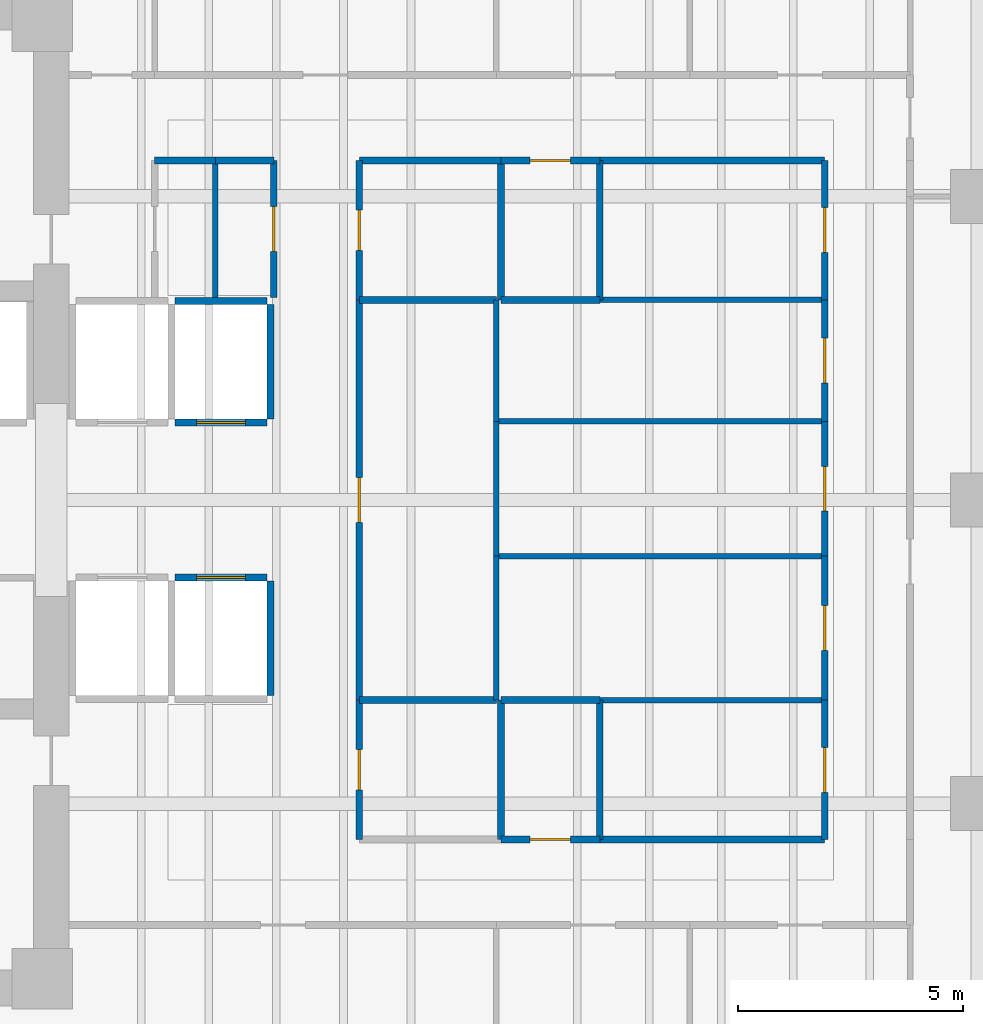
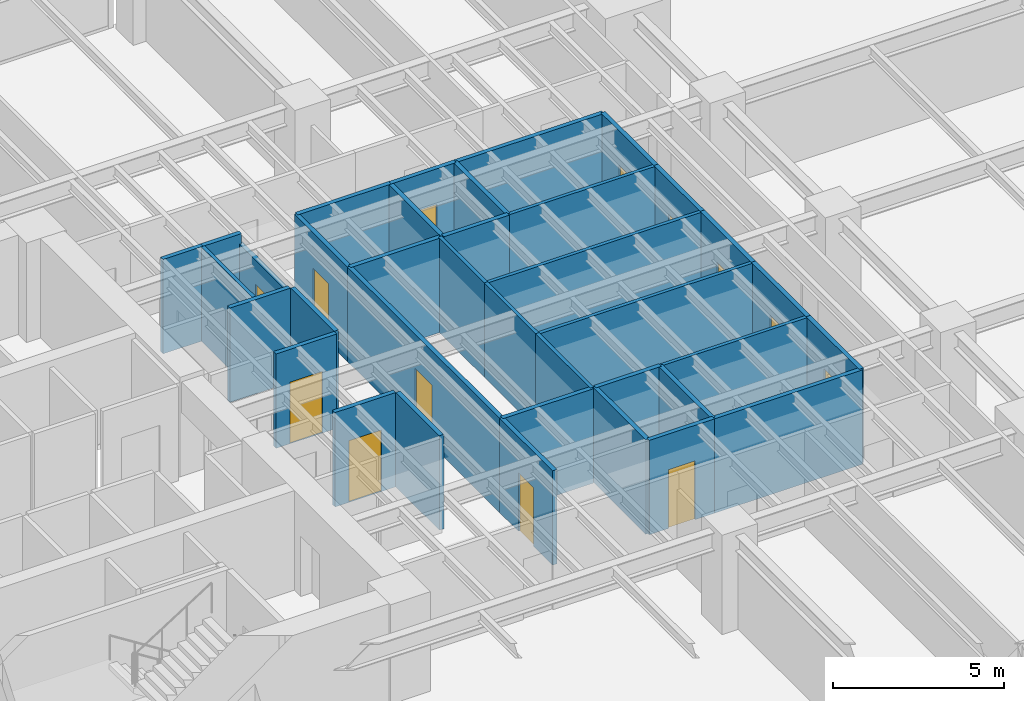
# One storey, part 9 of 15: 37 walls, 13 doors, 13 openings.
"""IFC4 building model written with IfcOpenShell, lengths in metres."""

from ifc_helpers import new_model, si_unit, direction, frame, frame_2d, origin, place, context, subcontext, project, spatial, rectangle, extrude, material, layer, layer_set, type_object, element, fill, save


model = new_model("IFC4")

# Units and contexts
model_context = context("Model", 3, precision=1e-05, world=origin(), true_north=direction((0.0, 1.0)))
body_context = subcontext(model_context, "Body", "Model", "MODEL_VIEW")
ifc_project = project(units=[si_unit("LENGTHUNIT", "METRE"), si_unit("AREAUNIT", "SQUARE_METRE"), si_unit("VOLUMEUNIT", "CUBIC_METRE"), si_unit("PLANEANGLEUNIT", "RADIAN"), si_unit("MASSUNIT", "GRAM", prefix="KILO")], contexts=[model_context])

# Site, building, storey
site_placement = place(None, origin())
site = spatial("IfcSite", under=ifc_project, at=site_placement, CompositionType="ELEMENT")
building_placement = place(site_placement, origin())
building = spatial("IfcBuilding", under=site, at=building_placement, Name="Kinhvarn Gate Tower", CompositionType="ELEMENT")
storey_placement = place(building_placement, frame((0.0, 0.0, 75.300048828125)))
storey = spatial("IfcBuildingStorey", under=building, at=storey_placement, Name="L19", CompositionType="ELEMENT", Elevation=75.300048828125)

# Walls
ifc_material_1 = material(Name="Gypsum acoustic partition board")
ifc_layer_1 = layer(ifc_material_1, 0.14990234375)
ifc_layer_set_1 = layer_set([ifc_layer_1], Name="Gypsum acoustic partition board")
wall_type_1 = type_object("IfcWallType", Name="WL-PLM-150", PredefinedType="PLUMBINGWALL", material=ifc_layer_set_1)
wall_1_placement = place(storey_placement, frame((27.60009765625, 17.699951171875, 0.0), z_axis=(0.0, 0.0, 1.0), x_axis=(0.0, 1.0, 0.0)))
element("IfcWall", 1, at=wall_1_placement, inside=storey, type_object=wall_type_1, Name="Interior Partition PLW-150 (L19)", PredefinedType="PLUMBINGWALL", context=body_context, shape_type="SweptSolid", body=[
    extrude(rectangle(XDim=3.10009765625, YDim=0.14990234375, at=frame_2d((1.550048828125, 0.0))), origin(), (0.0, 0.0, 1.0), 3.369873046875),
])
wall_2_placement = place(storey_placement, frame((24.449951171875, 20.800048828125, 0.0), z_axis=(0.0, 0.0, 1.0), x_axis=(1.0, 0.0, 0.0)))
element("IfcWall", 2, at=wall_2_placement, inside=storey, type_object=wall_type_1, Name="Interior Partition PLW-150 (L19)", PredefinedType="PLUMBINGWALL", context=body_context, shape_type="SweptSolid", body=[
    extrude(rectangle(XDim=3.050048828125, YDim=0.14990234375, at=frame_2d((1.52490234375, 0.0))), origin(), (0.0, 0.0, 1.0), 3.369873046875),
])
wall_3_placement = place(storey_placement, frame((27.60009765625, 29.699951171875, 0.0), z_axis=(0.0, 0.0, 1.0), x_axis=(0.0, 1.0, 0.0)))
element("IfcWall", 3, at=wall_3_placement, inside=storey, type_object=wall_type_1, Name="Interior Partition PLW-150 (L19)", PredefinedType="PLUMBINGWALL", context=body_context, shape_type="SweptSolid", body=[
    extrude(rectangle(XDim=3.10009765625, YDim=0.14990234375, at=frame_2d((1.550048828125, 0.0))), origin(), (0.0, 0.0, 1.0), 3.369873046875),
])
wall_4_placement = place(storey_placement, frame((24.449951171875, 29.699951171875, 0.0), z_axis=(0.0, 0.0, 1.0), x_axis=(1.0, 0.0, 0.0)))
element("IfcWall", 4, at=wall_4_placement, inside=storey, type_object=wall_type_1, Name="Interior Partition PLW-150 (L19)", PredefinedType="PLUMBINGWALL", context=body_context, shape_type="SweptSolid", body=[
    extrude(rectangle(XDim=3.050048828125, YDim=0.14990234375, at=frame_2d((1.52490234375, 0.0))), origin(), (0.0, 0.0, 1.0), 3.369873046875),
])
wall_5_placement = place(storey_placement, frame((29.800048828125, 17.699951171875, 0.0), z_axis=(0.0, 0.0, 1.0), x_axis=(0.0, 1.0, 0.0)))
element("IfcWall", 5, at=wall_5_placement, inside=storey, type_object=wall_type_1, Name="Interior Partition PLW-150 (L19)", PredefinedType="PLUMBINGWALL", context=body_context, shape_type="SweptSolid", body=[
    extrude(rectangle(XDim=3.10009765625, YDim=0.14990234375, at=frame_2d((1.550048828125, 0.0))), origin(), (0.0, 0.0, 1.0), 3.369873046875),
])
wall_6_placement = place(storey_placement, frame((27.60009765625, 20.800048828125, 0.0), z_axis=(0.0, 0.0, 1.0), x_axis=(1.0, 0.0, 0.0)))
element("IfcWall", 6, at=wall_6_placement, inside=storey, type_object=wall_type_1, Name="Interior Partition PLW-150 (L19)", PredefinedType="PLUMBINGWALL", context=body_context, shape_type="SweptSolid", body=[
    extrude(rectangle(XDim=2.199951171875, YDim=0.14990234375, at=frame_2d((1.10009765625, 0.0))), origin(), (0.0, 0.0, 1.0), 3.369873046875),
])
wall_7_placement = place(storey_placement, frame((29.800048828125, 29.699951171875, 0.0), z_axis=(0.0, 0.0, 1.0), x_axis=(0.0, 1.0, 0.0)))
element("IfcWall", 7, at=wall_7_placement, inside=storey, type_object=wall_type_1, Name="Interior Partition PLW-150 (L19)", PredefinedType="PLUMBINGWALL", context=body_context, shape_type="SweptSolid", body=[
    extrude(rectangle(XDim=3.10009765625, YDim=0.14990234375, at=frame_2d((1.550048828125, 0.0))), origin(), (0.0, 0.0, 1.0), 3.369873046875),
])
wall_8_placement = place(storey_placement, frame((27.60009765625, 29.699951171875, 0.0), z_axis=(0.0, 0.0, 1.0), x_axis=(1.0, 0.0, 0.0)))
element("IfcWall", 8, at=wall_8_placement, inside=storey, type_object=wall_type_1, Name="Interior Partition PLW-150 (L19)", PredefinedType="PLUMBINGWALL", context=body_context, shape_type="SweptSolid", body=[
    extrude(rectangle(XDim=2.199951171875, YDim=0.14990234375, at=frame_2d((1.10009765625, 0.0))), origin(), (0.0, 0.0, 1.0), 3.369873046875),
])

# Wall, opening, door
ifc_layer_2 = layer(ifc_material_1, 0.14990234375)
ifc_layer_set_2 = layer_set([ifc_layer_2], Name="Gypsum acoustic partition board")
wall_type_2 = type_object("IfcWallType", Name="WL-PLM-150F", PredefinedType="PLUMBINGWALL", material=ifc_layer_set_2)
wall_9_placement = place(storey_placement, frame((24.449951171875, 17.699951171875, 0.0), z_axis=(0.0, 0.0, 1.0), x_axis=(0.0, 1.0, 0.0)))
wall_9 = element("IfcWall", 9, at=wall_9_placement, inside=storey, type_object=wall_type_2, Name="Interior Partition PLW-150F (L19)", PredefinedType="PLUMBINGWALL", context=body_context, shape_type="SweptSolid", body=[
    extrude(rectangle(XDim=3.10009765625, YDim=0.14990234375, at=frame_2d((1.550048828125, 0.0))), origin(), (0.0, 0.0, 1.0), 3.369873046875),
])
opening_1_placement = place(wall_9_placement, frame((1.10009765625, 0.0, 0.0)))
opening_1 = element("IfcOpeningElement", 10, at=opening_1_placement, cuts=wall_9, Name="Opening FD-04", PredefinedType="OPENING", context=body_context, shape_type="SweptSolid", body=[
    extrude(rectangle(XDim=0.89990234375, YDim=2.10009765625, at=frame_2d((0.449951171875, 1.050048828125))), frame((0.0, 0.0849609375, 0.0), z_axis=(0.0, -1.0, 0.0), x_axis=(1.0, 0.0, 0.0)), (0.0, 0.0, 1.0), 0.169921875),
])
ifc_material_2 = material(Name="Anodised aluminium AW-6063", Category="aluminium")
door_type_1 = type_object("IfcDoorType", Name="DR-FD-900", OperationType="NOTDEFINED", PredefinedType="DOOR", material=ifc_material_2)
door_1_placement = place(opening_1_placement, origin())
door_1 = element("IfcDoor", 11, at=door_1_placement, inside=storey, type_object=door_type_1, Name="Rated Riser & Service Closet Fire Door 900x2100 mm (L19)", OperationType="SINGLE_SWING_RIGHT", OverallHeight=2.10009765625, OverallWidth=0.89990234375, PredefinedType="DOOR", context=body_context, shape_type="SweptSolid", body=[
    extrude(rectangle(XDim=0.89990234375, YDim=2.10009765625, at=frame_2d((0.449951171875, 1.050048828125))), frame((0.0, 0.02490234375, 0.0), z_axis=(0.0, -1.0, 0.0), x_axis=(1.0, 0.0, 0.0)), (0.0, 0.0, 1.0), 0.050048828125),
])
fill(opening_1, door_1)

wall_10_placement = place(storey_placement, frame((24.449951171875, 29.699951171875, 0.0), z_axis=(0.0, 0.0, 1.0), x_axis=(0.0, 1.0, 0.0)))
wall_10 = element("IfcWall", 12, at=wall_10_placement, inside=storey, type_object=wall_type_2, Name="Interior Partition PLW-150F (L19)", PredefinedType="PLUMBINGWALL", context=body_context, shape_type="SweptSolid", body=[
    extrude(rectangle(XDim=3.10009765625, YDim=0.14990234375, at=frame_2d((1.550048828125, 0.0))), origin(), (0.0, 0.0, 1.0), 3.369873046875),
])
opening_2_placement = place(wall_10_placement, frame((1.10009765625, 0.0, 0.0)))
opening_2 = element("IfcOpeningElement", 13, at=opening_2_placement, cuts=wall_10, Name="Opening FD-04", PredefinedType="OPENING", context=body_context, shape_type="SweptSolid", body=[
    extrude(rectangle(XDim=0.89990234375, YDim=2.10009765625, at=frame_2d((0.449951171875, 1.050048828125))), frame((0.0, 0.0849609375, 0.0), z_axis=(0.0, -1.0, 0.0), x_axis=(1.0, 0.0, 0.0)), (0.0, 0.0, 1.0), 0.169921875),
])
door_2_placement = place(opening_2_placement, origin())
door_2 = element("IfcDoor", 14, at=door_2_placement, inside=storey, type_object=door_type_1, Name="Rated Riser & Service Closet Fire Door 900x2100 mm (L19)", OperationType="SINGLE_SWING_LEFT", OverallHeight=2.10009765625, OverallWidth=0.89990234375, PredefinedType="DOOR", context=body_context, shape_type="SweptSolid", body=[
    extrude(rectangle(XDim=0.89990234375, YDim=2.10009765625, at=frame_2d((0.449951171875, 1.050048828125))), frame((0.0, 0.02490234375, 0.0), z_axis=(0.0, -1.0, 0.0), x_axis=(1.0, 0.0, 0.0)), (0.0, 0.0, 1.0), 0.050048828125),
])
fill(opening_2, door_2)

wall_11_placement = place(storey_placement, frame((27.60009765625, 17.699951171875, 0.0), z_axis=(0.0, 0.0, 1.0), x_axis=(1.0, 0.0, 0.0)))
wall_11 = element("IfcWall", 15, at=wall_11_placement, inside=storey, type_object=wall_type_2, Name="Interior Partition PLW-150F (L19)", PredefinedType="PLUMBINGWALL", context=body_context, shape_type="SweptSolid", body=[
    extrude(rectangle(XDim=2.199951171875, YDim=0.14990234375, at=frame_2d((1.10009765625, 0.0))), origin(), (0.0, 0.0, 1.0), 3.369873046875),
])
opening_3_placement = place(wall_11_placement, frame((0.64990234375, 0.0, 0.0)))
opening_3 = element("IfcOpeningElement", 16, at=opening_3_placement, cuts=wall_11, Name="Opening FD-04", PredefinedType="OPENING", context=body_context, shape_type="SweptSolid", body=[
    extrude(rectangle(XDim=0.89990234375, YDim=2.10009765625, at=frame_2d((0.449951171875, 1.050048828125))), frame((0.0, 0.0849609375, 0.0), z_axis=(0.0, -1.0, 0.0), x_axis=(1.0, 0.0, 0.0)), (0.0, 0.0, 1.0), 0.169921875),
])
door_3_placement = place(opening_3_placement, origin())
door_3 = element("IfcDoor", 17, at=door_3_placement, inside=storey, type_object=door_type_1, Name="Rated Riser & Service Closet Fire Door 900x2100 mm (L19)", OperationType="SINGLE_SWING_RIGHT", OverallHeight=2.10009765625, OverallWidth=0.89990234375, PredefinedType="DOOR", context=body_context, shape_type="SweptSolid", body=[
    extrude(rectangle(XDim=0.89990234375, YDim=2.10009765625, at=frame_2d((0.449951171875, 1.050048828125))), frame((0.0, 0.02490234375, 0.0), z_axis=(0.0, -1.0, 0.0), x_axis=(1.0, 0.0, 0.0)), (0.0, 0.0, 1.0), 0.050048828125),
])
fill(opening_3, door_3)

# Wall
wall_12_placement = place(storey_placement, frame((24.449951171875, 32.800048828125, 0.0), z_axis=(0.0, 0.0, 1.0), x_axis=(1.0, 0.0, 0.0)))
element("IfcWall", 18, at=wall_12_placement, inside=storey, type_object=wall_type_2, Name="Interior Partition PLW-150F (L19)", PredefinedType="PLUMBINGWALL", context=body_context, shape_type="SweptSolid", body=[
    extrude(rectangle(XDim=3.150146484375, YDim=0.14990234375, at=frame_2d((1.5751953125, 0.0))), origin(), (0.0, 0.0, 1.0), 3.369873046875),
])

# Wall, opening, door
wall_13_placement = place(storey_placement, frame((27.60009765625, 32.800048828125, 0.0), z_axis=(0.0, 0.0, 1.0), x_axis=(1.0, 0.0, 0.0)))
wall_13 = element("IfcWall", 19, at=wall_13_placement, inside=storey, type_object=wall_type_2, Name="Interior Partition PLW-150F (L19)", PredefinedType="PLUMBINGWALL", context=body_context, shape_type="SweptSolid", body=[
    extrude(rectangle(XDim=2.199951171875, YDim=0.14990234375, at=frame_2d((1.10009765625, 0.0))), origin(), (0.0, 0.0, 1.0), 3.369873046875),
])
opening_4_placement = place(wall_13_placement, frame((0.64990234375, 0.0, 0.0)))
opening_4 = element("IfcOpeningElement", 20, at=opening_4_placement, cuts=wall_13, Name="Opening FD-04", PredefinedType="OPENING", context=body_context, shape_type="SweptSolid", body=[
    extrude(rectangle(XDim=0.89990234375, YDim=2.10009765625, at=frame_2d((0.449951171875, 1.050048828125))), frame((0.0, 0.0849609375, 0.0), z_axis=(0.0, -1.0, 0.0), x_axis=(1.0, 0.0, 0.0)), (0.0, 0.0, 1.0), 0.169921875),
])
door_4_placement = place(opening_4_placement, origin())
door_4 = element("IfcDoor", 21, at=door_4_placement, inside=storey, type_object=door_type_1, Name="Rated Riser & Service Closet Fire Door 900x2100 mm (L19)", OperationType="SINGLE_SWING_RIGHT", OverallHeight=2.10009765625, OverallWidth=0.89990234375, PredefinedType="DOOR", context=body_context, shape_type="SweptSolid", body=[
    extrude(rectangle(XDim=0.89990234375, YDim=2.10009765625, at=frame_2d((0.449951171875, 1.050048828125))), frame((0.0, 0.02490234375, 0.0), z_axis=(0.0, -1.0, 0.0), x_axis=(1.0, 0.0, 0.0)), (0.0, 0.0, 1.0), 0.050048828125),
])
fill(opening_4, door_4)

# Walls
ifc_layer_3 = layer(ifc_material_1, 0.1201171875)
ifc_layer_set_3 = layer_set([ifc_layer_3], Name="Gypsum acoustic partition board")
wall_type_3 = type_object("IfcWallType", Name="WL-PRT-120", PredefinedType="PARTITIONING", material=ifc_layer_set_3)
wall_14_placement = place(storey_placement, frame((21.25, 29.75, 0.0), z_axis=(0.0, 0.0, 1.0), x_axis=(0.0, 1.0, 0.0)))
element("IfcWall", 22, at=wall_14_placement, inside=storey, type_object=wall_type_3, Name="Interior Partition PW-120 (L19)", PredefinedType="PARTITIONING", context=body_context, shape_type="SweptSolid", body=[
    extrude(rectangle(XDim=3.050048828125, YDim=0.1201171875, at=frame_2d((1.52490234375, 0.0))), origin(), (0.0, 0.0, 1.0), 3.369873046875),
])
for number, where, z_axis, x_axis, name in (
    (23, (29.800048828125, 20.800048828125, 0.0), (0.0, 0.0, 1.0), (1.0, 0.0, 0.0), "Interior Partition PW-120 (L19)"),
    (24, (29.800048828125, 29.699951171875, 0.0), (0.0, 0.0, 1.0), (1.0, 0.0, 0.0), "Interior Partition PW-120 (L19)"),
):
    element("IfcWall", number, at=place(storey_placement, frame(where, z_axis=z_axis, x_axis=x_axis)), inside=storey, type_object=wall_type_3, Name=name, PredefinedType="PARTITIONING", context=body_context, shape_type="SweptSolid", body=[
        extrude(rectangle(XDim=5.0, YDim=0.1201171875, at=frame_2d((2.5, 0.0))), origin(), (0.0, 0.0, 1.0), 3.369873046875),
    ])
wall_15_placement = place(storey_placement, frame((27.5, 20.800048828125, 0.0), z_axis=(0.0, 0.0, 1.0), x_axis=(0.0, 1.0, 0.0)))
element("IfcWall", 25, at=wall_15_placement, inside=storey, type_object=wall_type_3, Name="Interior Partition PW-120 (L19)", PredefinedType="PARTITIONING", context=body_context, shape_type="SweptSolid", body=[
    extrude(rectangle(XDim=3.199951171875, YDim=0.1201171875, at=frame_2d((1.60009765625, 0.0))), origin(), (0.0, 0.0, 1.0), 3.369873046875),
])
wall_16_placement = place(storey_placement, frame((27.5, 24.0, 0.0), z_axis=(0.0, 0.0, 1.0), x_axis=(0.0, 1.0, 0.0)))
element("IfcWall", 26, at=wall_16_placement, inside=storey, type_object=wall_type_3, Name="Interior Partition PW-120 (L19)", PredefinedType="PARTITIONING", context=body_context, shape_type="SweptSolid", body=[
    extrude(rectangle(XDim=3.0, YDim=0.1201171875, at=frame_2d((1.5, 0.0))), origin(), (0.0, 0.0, 1.0), 3.369873046875),
])
wall_17_placement = place(storey_placement, frame((27.5, 27.0, 0.0), z_axis=(0.0, 0.0, 1.0), x_axis=(0.0, 1.0, 0.0)))
element("IfcWall", 27, at=wall_17_placement, inside=storey, type_object=wall_type_3, Name="Interior Partition PW-120 (L19)", PredefinedType="PARTITIONING", context=body_context, shape_type="SweptSolid", body=[
    extrude(rectangle(XDim=2.699951171875, YDim=0.1201171875, at=frame_2d((1.35009765625, 0.0))), origin(), (0.0, 0.0, 1.0), 3.369873046875),
])
for number, where, z_axis, x_axis, name in (
    (28, (27.5, 24.0, 0.0), (0.0, 0.0, 1.0), (1.0, 0.0, 0.0), "Interior Partition PW-120 (L19)"),
    (29, (27.5, 27.0, 0.0), (0.0, 0.0, 1.0), (1.0, 0.0, 0.0), "Interior Partition PW-120 (L19)"),
):
    element("IfcWall", number, at=place(storey_placement, frame(where, z_axis=z_axis, x_axis=x_axis)), inside=storey, type_object=wall_type_3, Name=name, PredefinedType="PARTITIONING", context=body_context, shape_type="SweptSolid", body=[
        extrude(rectangle(XDim=7.300048828125, YDim=0.1201171875, at=frame_2d((3.64990234375, 0.0))), origin(), (0.0, 0.0, 1.0), 3.369873046875),
    ])

# Wall, opening, door
ifc_layer_4 = layer(ifc_material_1, 0.14990234375)
ifc_layer_set_4 = layer_set([ifc_layer_4], Name="Gypsum acoustic partition board")
wall_type_4 = type_object("IfcWallType", Name="WL-PRT-150F", PredefinedType="PARTITIONING", material=ifc_layer_set_4)
wall_18_placement = place(storey_placement, frame((22.550048828125, 29.75, 0.0), z_axis=(0.0, 0.0, 1.0), x_axis=(0.0, 1.0, 0.0)))
wall_18 = element("IfcWall", 30, at=wall_18_placement, inside=storey, type_object=wall_type_4, Name="Interior Partition PW-150F (L19)", PredefinedType="PARTITIONING", context=body_context, shape_type="SweptSolid", body=[
    extrude(rectangle(XDim=3.050048828125, YDim=0.14990234375, at=frame_2d((1.52490234375, 0.0))), origin(), (0.0, 0.0, 1.0), 3.010009765625),
])
opening_5_placement = place(wall_18_placement, frame((1.02490234375, 0.0, 0.0)))
opening_5 = element("IfcOpeningElement", 31, at=opening_5_placement, cuts=wall_18, Name="Opening ID-02", PredefinedType="OPENING", context=body_context, shape_type="SweptSolid", body=[
    extrude(rectangle(XDim=1.0, YDim=2.14990234375, at=frame_2d((0.5, 1.074951171875))), frame((0.0, 0.0849609375, 0.0), z_axis=(0.0, -1.0, 0.0), x_axis=(1.0, 0.0, 0.0)), (0.0, 0.0, 1.0), 0.169921875),
])
door_type_2 = type_object("IfcDoorType", Name="DR-INT-1000", OperationType="NOTDEFINED", PredefinedType="DOOR", material=ifc_material_2)
door_5_placement = place(opening_5_placement, origin())
door_5 = element("IfcDoor", 32, at=door_5_placement, inside=storey, type_object=door_type_2, Name="Standard Office & Meeting Room Door 1000x2150 mm (L19)", OperationType="SINGLE_SWING_LEFT", OverallHeight=2.14990234375, OverallWidth=1.0, PredefinedType="DOOR", context=body_context, shape_type="SweptSolid", body=[
    extrude(rectangle(XDim=1.0, YDim=2.14990234375, at=frame_2d((0.5, 1.074951171875))), frame((0.0, 0.02490234375, 0.0), z_axis=(0.0, -1.0, 0.0), x_axis=(1.0, 0.0, 0.0)), (0.0, 0.0, 1.0), 0.050048828125),
])
fill(opening_5, door_5)

wall_19_placement = place(storey_placement, frame((24.449951171875, 20.800048828125, 0.0), z_axis=(0.0, 0.0, 1.0), x_axis=(0.0, 1.0, 0.0)))
wall_19 = element("IfcWall", 33, at=wall_19_placement, inside=storey, type_object=wall_type_4, Name="Interior Partition PW-150F (L19)", PredefinedType="PARTITIONING", context=body_context, shape_type="SweptSolid", body=[
    extrude(rectangle(XDim=8.89990234375, YDim=0.14990234375, at=frame_2d((4.449951171875, 0.0))), origin(), (0.0, 0.0, 1.0), 3.369873046875),
])
opening_6_placement = place(wall_19_placement, frame((3.949951171875, 0.0, 0.0)))
opening_6 = element("IfcOpeningElement", 34, at=opening_6_placement, cuts=wall_19, Name="Opening ID-02", PredefinedType="OPENING", context=body_context, shape_type="SweptSolid", body=[
    extrude(rectangle(XDim=1.0, YDim=2.14990234375, at=frame_2d((0.5, 1.074951171875))), frame((0.0, 0.0849609375, 0.0), z_axis=(0.0, -1.0, 0.0), x_axis=(1.0, 0.0, 0.0)), (0.0, 0.0, 1.0), 0.169921875),
])
door_6_placement = place(opening_6_placement, origin())
door_6 = element("IfcDoor", 35, at=door_6_placement, inside=storey, type_object=door_type_2, Name="Standard Office & Meeting Room Door 1000x2150 mm (L19)", OperationType="SINGLE_SWING_RIGHT", OverallHeight=2.14990234375, OverallWidth=1.0, PredefinedType="DOOR", context=body_context, shape_type="SweptSolid", body=[
    extrude(rectangle(XDim=1.0, YDim=2.14990234375, at=frame_2d((0.5, 1.074951171875))), frame((0.0, 0.02490234375, 0.0), z_axis=(0.0, -1.0, 0.0), x_axis=(1.0, 0.0, 0.0)), (0.0, 0.0, 1.0), 0.050048828125),
])
fill(opening_6, door_6)

# Walls
wall_20_placement = place(storey_placement, frame((29.800048828125, 17.699951171875, 0.0), z_axis=(0.0, 0.0, 1.0), x_axis=(1.0, 0.0, 0.0)))
element("IfcWall", 36, at=wall_20_placement, inside=storey, type_object=wall_type_4, Name="Interior Partition PW-150F (L19)", PredefinedType="PARTITIONING", context=body_context, shape_type="SweptSolid", body=[
    extrude(rectangle(XDim=5.0, YDim=0.14990234375, at=frame_2d((2.5, 0.0))), origin(), (0.0, 0.0, 1.0), 3.369873046875),
])
wall_21_placement = place(storey_placement, frame((19.89990234375, 32.800048828125, 0.0), z_axis=(0.0, 0.0, 1.0), x_axis=(1.0, 0.0, 0.0)))
element("IfcWall", 37, at=wall_21_placement, inside=storey, type_object=wall_type_4, Name="Interior Partition PW-150F (L19)", PredefinedType="PARTITIONING", context=body_context, shape_type="SweptSolid", body=[
    extrude(rectangle(XDim=1.35009765625, YDim=0.14990234375, at=frame_2d((0.675048828125, 0.0))), origin(), (0.0, 0.0, 1.0), 3.369873046875),
])
wall_22_placement = place(storey_placement, frame((21.25, 32.800048828125, 0.0), z_axis=(0.0, 0.0, 1.0), x_axis=(1.0, 0.0, 0.0)))
element("IfcWall", 38, at=wall_22_placement, inside=storey, type_object=wall_type_4, Name="Interior Partition PW-150F (L19)", PredefinedType="PARTITIONING", context=body_context, shape_type="SweptSolid", body=[
    extrude(rectangle(XDim=1.300048828125, YDim=0.14990234375, at=frame_2d((0.64990234375, 0.0))), origin(), (0.0, 0.0, 1.0), 3.369873046875),
])
wall_23_placement = place(storey_placement, frame((29.800048828125, 32.800048828125, 0.0), z_axis=(0.0, 0.0, 1.0), x_axis=(1.0, 0.0, 0.0)))
element("IfcWall", 39, at=wall_23_placement, inside=storey, type_object=wall_type_4, Name="Interior Partition PW-150F (L19)", PredefinedType="PARTITIONING", context=body_context, shape_type="SweptSolid", body=[
    extrude(rectangle(XDim=5.0, YDim=0.14990234375, at=frame_2d((2.5, 0.0))), origin(), (0.0, 0.0, 1.0), 3.369873046875),
])

# Wall, opening, door
wall_24_placement = place(storey_placement, frame((34.800048828125, 17.699951171875, 0.0), z_axis=(0.0, 0.0, 1.0), x_axis=(0.0, 1.0, 0.0)))
wall_24 = element("IfcWall", 40, at=wall_24_placement, inside=storey, type_object=wall_type_4, Name="Interior Partition PW-150F (L19)", PredefinedType="PARTITIONING", context=body_context, shape_type="SweptSolid", body=[
    extrude(rectangle(XDim=3.10009765625, YDim=0.14990234375, at=frame_2d((1.550048828125, 0.0))), origin(), (0.0, 0.0, 1.0), 3.369873046875),
])
opening_7_placement = place(wall_24_placement, frame((1.050048828125, 0.0, 0.0)))
opening_7 = element("IfcOpeningElement", 41, at=opening_7_placement, cuts=wall_24, Name="Opening ID-02", PredefinedType="OPENING", context=body_context, shape_type="SweptSolid", body=[
    extrude(rectangle(XDim=1.0, YDim=2.14990234375, at=frame_2d((0.5, 1.074951171875))), frame((0.0, 0.0849609375, 0.0), z_axis=(0.0, -1.0, 0.0), x_axis=(1.0, 0.0, 0.0)), (0.0, 0.0, 1.0), 0.169921875),
])
door_7_placement = place(opening_7_placement, origin())
door_7 = element("IfcDoor", 42, at=door_7_placement, inside=storey, type_object=door_type_2, Name="Standard Office & Meeting Room Door 1000x2150 mm (L19)", OperationType="SINGLE_SWING_RIGHT", OverallHeight=2.14990234375, OverallWidth=1.0, PredefinedType="DOOR", context=body_context, shape_type="SweptSolid", body=[
    extrude(rectangle(XDim=1.0, YDim=2.14990234375, at=frame_2d((0.5, 1.074951171875))), frame((0.0, 0.02490234375, 0.0), z_axis=(0.0, -1.0, 0.0), x_axis=(1.0, 0.0, 0.0)), (0.0, 0.0, 1.0), 0.050048828125),
])
fill(opening_7, door_7)

wall_25_placement = place(storey_placement, frame((34.800048828125, 29.699951171875, 0.0), z_axis=(0.0, 0.0, 1.0), x_axis=(0.0, 1.0, 0.0)))
wall_25 = element("IfcWall", 43, at=wall_25_placement, inside=storey, type_object=wall_type_4, Name="Interior Partition PW-150F (L19)", PredefinedType="PARTITIONING", context=body_context, shape_type="SweptSolid", body=[
    extrude(rectangle(XDim=3.10009765625, YDim=0.14990234375, at=frame_2d((1.550048828125, 0.0))), origin(), (0.0, 0.0, 1.0), 3.369873046875),
])
opening_8_placement = place(wall_25_placement, frame((1.050048828125, 0.0, 0.0)))
opening_8 = element("IfcOpeningElement", 44, at=opening_8_placement, cuts=wall_25, Name="Opening ID-02", PredefinedType="OPENING", context=body_context, shape_type="SweptSolid", body=[
    extrude(rectangle(XDim=1.0, YDim=2.14990234375, at=frame_2d((0.5, 1.074951171875))), frame((0.0, 0.0849609375, 0.0), z_axis=(0.0, -1.0, 0.0), x_axis=(1.0, 0.0, 0.0)), (0.0, 0.0, 1.0), 0.169921875),
])
door_8_placement = place(opening_8_placement, origin())
door_8 = element("IfcDoor", 45, at=door_8_placement, inside=storey, type_object=door_type_2, Name="Standard Office & Meeting Room Door 1000x2150 mm (L19)", OperationType="SINGLE_SWING_LEFT", OverallHeight=2.14990234375, OverallWidth=1.0, PredefinedType="DOOR", context=body_context, shape_type="SweptSolid", body=[
    extrude(rectangle(XDim=1.0, YDim=2.14990234375, at=frame_2d((0.5, 1.074951171875))), frame((0.0, 0.02490234375, 0.0), z_axis=(0.0, -1.0, 0.0), x_axis=(1.0, 0.0, 0.0)), (0.0, 0.0, 1.0), 0.050048828125),
])
fill(opening_8, door_8)

wall_26_placement = place(storey_placement, frame((34.800048828125, 20.800048828125, 0.0), z_axis=(0.0, 0.0, 1.0), x_axis=(0.0, 1.0, 0.0)))
wall_26 = element("IfcWall", 46, at=wall_26_placement, inside=storey, type_object=wall_type_4, Name="Interior Partition PW-150F (L19)", PredefinedType="PARTITIONING", context=body_context, shape_type="SweptSolid", body=[
    extrude(rectangle(XDim=3.199951171875, YDim=0.14990234375, at=frame_2d((1.60009765625, 0.0))), origin(), (0.0, 0.0, 1.0), 3.369873046875),
])
opening_9_placement = place(wall_26_placement, frame((1.10009765625, 0.0, 0.0)))
opening_9 = element("IfcOpeningElement", 47, at=opening_9_placement, cuts=wall_26, Name="Opening ID-02", PredefinedType="OPENING", context=body_context, shape_type="SweptSolid", body=[
    extrude(rectangle(XDim=1.0, YDim=2.14990234375, at=frame_2d((0.5, 1.074951171875))), frame((0.0, 0.0849609375, 0.0), z_axis=(0.0, -1.0, 0.0), x_axis=(1.0, 0.0, 0.0)), (0.0, 0.0, 1.0), 0.169921875),
])
door_9_placement = place(opening_9_placement, origin())
door_9 = element("IfcDoor", 48, at=door_9_placement, inside=storey, type_object=door_type_2, Name="Standard Office & Meeting Room Door 1000x2150 mm (L19)", OperationType="SINGLE_SWING_RIGHT", OverallHeight=2.14990234375, OverallWidth=1.0, PredefinedType="DOOR", context=body_context, shape_type="SweptSolid", body=[
    extrude(rectangle(XDim=1.0, YDim=2.14990234375, at=frame_2d((0.5, 1.074951171875))), frame((0.0, 0.02490234375, 0.0), z_axis=(0.0, -1.0, 0.0), x_axis=(1.0, 0.0, 0.0)), (0.0, 0.0, 1.0), 0.050048828125),
])
fill(opening_9, door_9)

wall_27_placement = place(storey_placement, frame((34.800048828125, 24.0, 0.0), z_axis=(0.0, 0.0, 1.0), x_axis=(0.0, 1.0, 0.0)))
wall_27 = element("IfcWall", 49, at=wall_27_placement, inside=storey, type_object=wall_type_4, Name="Interior Partition PW-150F (L19)", PredefinedType="PARTITIONING", context=body_context, shape_type="SweptSolid", body=[
    extrude(rectangle(XDim=3.0, YDim=0.14990234375, at=frame_2d((1.5, 0.0))), origin(), (0.0, 0.0, 1.0), 3.369873046875),
])
opening_10_placement = place(wall_27_placement, frame((1.0, 0.0, 0.0)))
opening_10 = element("IfcOpeningElement", 50, at=opening_10_placement, cuts=wall_27, Name="Opening ID-02", PredefinedType="OPENING", context=body_context, shape_type="SweptSolid", body=[
    extrude(rectangle(XDim=1.0, YDim=2.14990234375, at=frame_2d((0.5, 1.074951171875))), frame((0.0, 0.0849609375, 0.0), z_axis=(0.0, -1.0, 0.0), x_axis=(1.0, 0.0, 0.0)), (0.0, 0.0, 1.0), 0.169921875),
])
door_10_placement = place(opening_10_placement, origin())
door_10 = element("IfcDoor", 51, at=door_10_placement, inside=storey, type_object=door_type_2, Name="Standard Office & Meeting Room Door 1000x2150 mm (L19)", OperationType="SINGLE_SWING_LEFT", OverallHeight=2.14990234375, OverallWidth=1.0, PredefinedType="DOOR", context=body_context, shape_type="SweptSolid", body=[
    extrude(rectangle(XDim=1.0, YDim=2.14990234375, at=frame_2d((0.5, 1.074951171875))), frame((0.0, 0.02490234375, 0.0), z_axis=(0.0, -1.0, 0.0), x_axis=(1.0, 0.0, 0.0)), (0.0, 0.0, 1.0), 0.050048828125),
])
fill(opening_10, door_10)

wall_28_placement = place(storey_placement, frame((34.800048828125, 27.0, 0.0), z_axis=(0.0, 0.0, 1.0), x_axis=(0.0, 1.0, 0.0)))
wall_28 = element("IfcWall", 52, at=wall_28_placement, inside=storey, type_object=wall_type_4, Name="Interior Partition PW-150F (L19)", PredefinedType="PARTITIONING", context=body_context, shape_type="SweptSolid", body=[
    extrude(rectangle(XDim=2.699951171875, YDim=0.14990234375, at=frame_2d((1.35009765625, 0.0))), origin(), (0.0, 0.0, 1.0), 3.369873046875),
])
opening_11_placement = place(wall_28_placement, frame((0.85009765625, 0.0, 0.0)))
opening_11 = element("IfcOpeningElement", 53, at=opening_11_placement, cuts=wall_28, Name="Opening ID-02", PredefinedType="OPENING", context=body_context, shape_type="SweptSolid", body=[
    extrude(rectangle(XDim=1.0, YDim=2.14990234375, at=frame_2d((0.5, 1.074951171875))), frame((0.0, 0.0849609375, 0.0), z_axis=(0.0, -1.0, 0.0), x_axis=(1.0, 0.0, 0.0)), (0.0, 0.0, 1.0), 0.169921875),
])
door_11_placement = place(opening_11_placement, origin())
door_11 = element("IfcDoor", 54, at=door_11_placement, inside=storey, type_object=door_type_2, Name="Standard Office & Meeting Room Door 1000x2150 mm (L19)", OperationType="SINGLE_SWING_RIGHT", OverallHeight=2.14990234375, OverallWidth=1.0, PredefinedType="DOOR", context=body_context, shape_type="SweptSolid", body=[
    extrude(rectangle(XDim=1.0, YDim=2.14990234375, at=frame_2d((0.5, 1.074951171875))), frame((0.0, 0.02490234375, 0.0), z_axis=(0.0, -1.0, 0.0), x_axis=(1.0, 0.0, 0.0)), (0.0, 0.0, 1.0), 0.050048828125),
])
fill(opening_11, door_11)

ifc_layer_5 = layer(ifc_material_1, 0.14990234375)
ifc_layer_set_5 = layer_set([ifc_layer_5], Name="Gypsum acoustic partition board")
wall_type_5 = type_object("IfcWallType", Name="WL-SHF-150", PredefinedType="PARTITIONING", material=ifc_layer_set_5)
wall_29_placement = place(storey_placement, frame((20.35009765625, 23.52490234375, 0.0), z_axis=(0.0, 0.0, 1.0), x_axis=(1.0, 0.0, 0.0)))
wall_29 = element("IfcWall", 55, at=wall_29_placement, inside=storey, type_object=wall_type_5, Name="Elevator PL-02 Landing Wall (L19)", PredefinedType="PARTITIONING", context=body_context, shape_type="SweptSolid", body=[
    extrude(rectangle(XDim=2.0498046875, YDim=0.14990234375, at=frame_2d((1.02490234375, 0.0))), origin(), (0.0, 0.0, 1.0), 3.369873046875),
])
opening_12_placement = place(wall_29_placement, frame((0.47509765625, 0.0, 0.0)))
opening_12 = element("IfcOpeningElement", 56, at=opening_12_placement, cuts=wall_29, Name="Opening LD-01", PredefinedType="OPENING", context=body_context, shape_type="SweptSolid", body=[
    extrude(rectangle(XDim=1.10009765625, YDim=2.199951171875, at=frame_2d((0.550048828125, 1.10009765625))), frame((0.0, 0.0849609375, 0.0), z_axis=(0.0, -1.0, 0.0), x_axis=(1.0, 0.0, 0.0)), (0.0, 0.0, 1.0), 0.169921875),
])
door_type_3 = type_object("IfcDoorType", Name="DR-LND-PAS", OperationType="NOTDEFINED", PredefinedType="DOOR", material=ifc_material_2)
door_12_placement = place(opening_12_placement, origin())
door_12 = element("IfcDoor", 57, at=door_12_placement, inside=storey, type_object=door_type_3, Name="Elevator PL-02 Sliding Landing Door (L19)", OperationType="DOUBLE_DOOR_SLIDING", OverallHeight=2.199951171875, OverallWidth=1.10009765625, PredefinedType="DOOR", context=body_context, shape_type="SweptSolid", body=[
    extrude(rectangle(XDim=1.10009765625, YDim=2.199951171875, at=frame_2d((0.550048828125, 1.10009765625))), frame((0.0, 0.02490234375, 0.0), z_axis=(0.0, -1.0, 0.0), x_axis=(1.0, 0.0, 0.0)), (0.0, 0.0, 1.0), 0.050048828125),
])
fill(opening_12, door_12)

# Wall
wall_30_placement = place(storey_placement, frame((22.47509765625, 20.89990234375, 0.0), z_axis=(0.0, 0.0, 1.0), x_axis=(0.0, 1.0, 0.0)))
element("IfcWall", 58, at=wall_30_placement, inside=storey, type_object=wall_type_5, Name="Elevator PL-02 Hoistway Wall E (L19)", PredefinedType="PARTITIONING", context=body_context, shape_type="SweptSolid", body=[
    extrude(rectangle(XDim=2.550048828125, YDim=0.14990234375, at=frame_2d((1.27490234375, 0.0))), origin(), (0.0, 0.0, 1.0), 3.369873046875),
])

# Wall, opening, door
wall_31_placement = place(storey_placement, frame((20.35009765625, 26.97509765625, 0.0), z_axis=(0.0, 0.0, 1.0), x_axis=(1.0, 0.0, 0.0)))
wall_31 = element("IfcWall", 59, at=wall_31_placement, inside=storey, type_object=wall_type_5, Name="Elevator PL-04 Landing Wall (L19)", PredefinedType="PARTITIONING", context=body_context, shape_type="SweptSolid", body=[
    extrude(rectangle(XDim=2.0498046875, YDim=0.14990234375, at=frame_2d((1.02490234375, 0.0))), origin(), (0.0, 0.0, 1.0), 3.369873046875),
])
opening_13_placement = place(wall_31_placement, frame((0.47509765625, 0.0, 0.0)))
opening_13 = element("IfcOpeningElement", 60, at=opening_13_placement, cuts=wall_31, Name="Opening LD-01", PredefinedType="OPENING", context=body_context, shape_type="SweptSolid", body=[
    extrude(rectangle(XDim=1.10009765625, YDim=2.199951171875, at=frame_2d((0.550048828125, 1.10009765625))), frame((0.0, 0.0849609375, 0.0), z_axis=(0.0, -1.0, 0.0), x_axis=(1.0, 0.0, 0.0)), (0.0, 0.0, 1.0), 0.169921875),
])
door_13_placement = place(opening_13_placement, origin())
door_13 = element("IfcDoor", 61, at=door_13_placement, inside=storey, type_object=door_type_3, Name="Elevator PL-04 Sliding Landing Door (L19)", OperationType="DOUBLE_DOOR_SLIDING", OverallHeight=2.199951171875, OverallWidth=1.10009765625, PredefinedType="DOOR", context=body_context, shape_type="SweptSolid", body=[
    extrude(rectangle(XDim=1.10009765625, YDim=2.199951171875, at=frame_2d((0.550048828125, 1.10009765625))), frame((0.0, 0.02490234375, 0.0), z_axis=(0.0, -1.0, 0.0), x_axis=(1.0, 0.0, 0.0)), (0.0, 0.0, 1.0), 0.050048828125),
])
fill(opening_13, door_13)

# Walls
wall_32_placement = place(storey_placement, frame((20.35009765625, 29.675048828125, 0.0), z_axis=(0.0, 0.0, 1.0), x_axis=(1.0, 0.0, 0.0)))
element("IfcWall", 62, at=wall_32_placement, inside=storey, type_object=wall_type_5, Name="Elevator PL-04 Hoistway Wall N (L19)", PredefinedType="PARTITIONING", context=body_context, shape_type="SweptSolid", body=[
    extrude(rectangle(XDim=2.0498046875, YDim=0.14990234375, at=frame_2d((1.02490234375, 0.0))), origin(), (0.0, 0.0, 1.0), 3.369873046875),
])
wall_33_placement = place(storey_placement, frame((22.47509765625, 27.050048828125, 0.0), z_axis=(0.0, 0.0, 1.0), x_axis=(0.0, 1.0, 0.0)))
element("IfcWall", 63, at=wall_33_placement, inside=storey, type_object=wall_type_5, Name="Elevator PL-04 Hoistway Wall E (L19)", PredefinedType="PARTITIONING", context=body_context, shape_type="SweptSolid", body=[
    extrude(rectangle(XDim=2.550048828125, YDim=0.14990234375, at=frame_2d((1.27490234375, 0.0))), origin(), (0.0, 0.0, 1.0), 3.369873046875),
])

save(model, "model.ifc")
